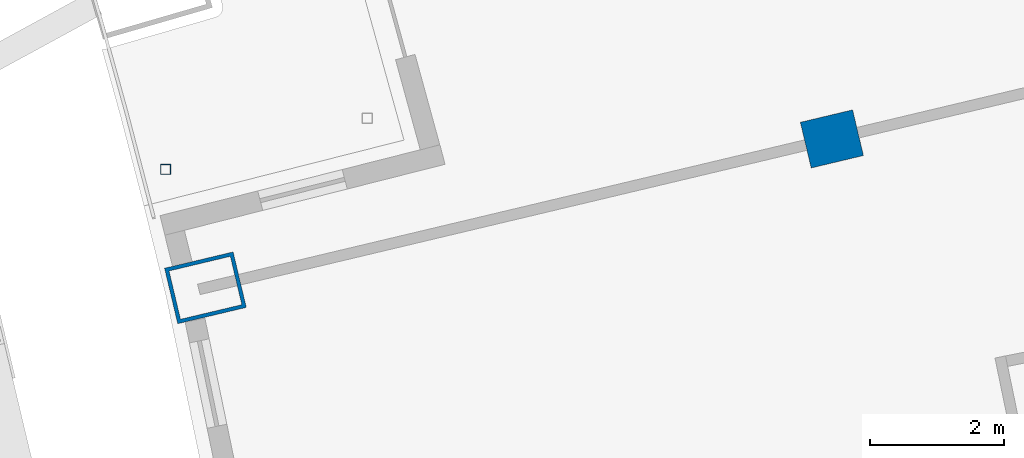
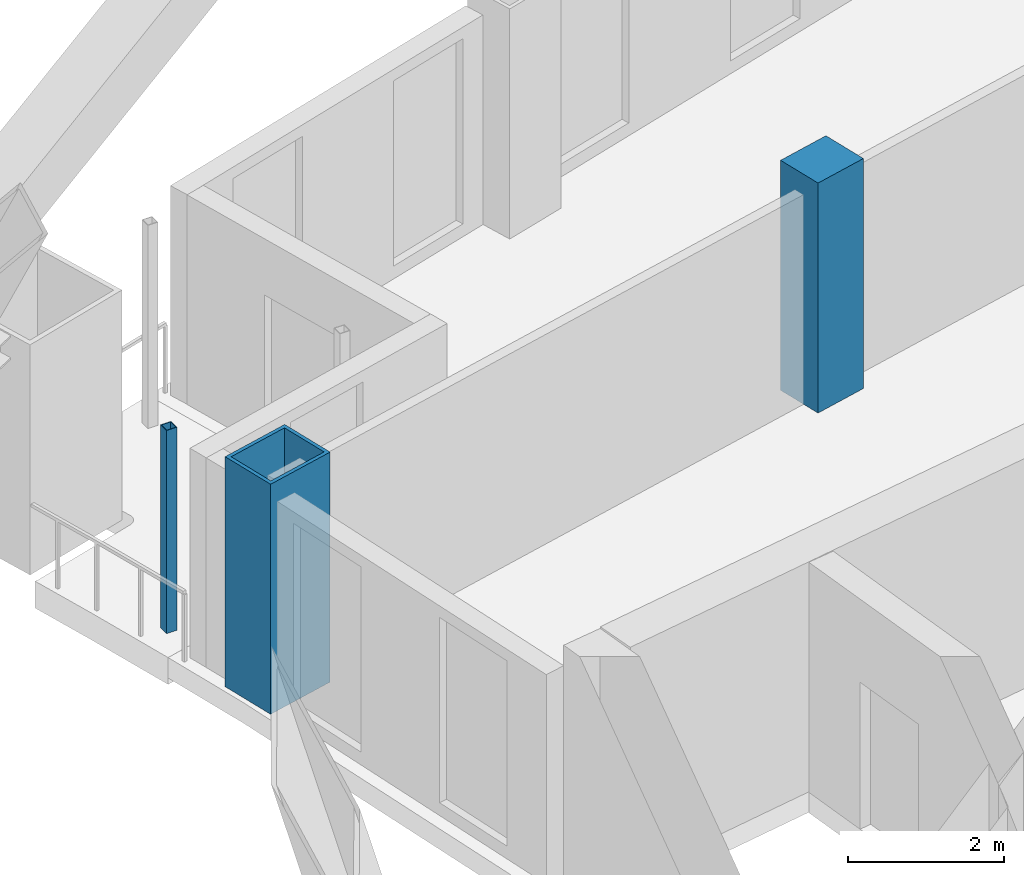
# One storey, part 5 of 20: 3 columns.
"""IFC4 building model written with IfcOpenShell, lengths in metres."""

import ifcopenshell
import ifcopenshell.guid

model = None  # the IFC model being written
_history = None  # IfcOwnerHistory: only IFC2X3 demands one
_inside = {}  # id of a spatial element -> (the spatial element, [elements in it])
_under = {}  # id of a project, library or spatial element -> (it, [spatial elements below it])
_declared = {}  # id of a project -> (the project, [libraries it declares])
_typed = {}  # id of a type object -> (the type object, [elements of that type])
_made_of = {}  # id of a material, layer set ... -> (it, [elements and type objects made of it])


def new_model(schema):
    """Start an empty IFC model of exactly this schema.

    Asked for "IFC4X3", IfcOpenShell would pick the latest addendum, in which some entities
    have other attributes; the version numbers below select the first issue.
    IFC2X3 requires an IfcOwnerHistory on every rooted entity: one is made here for all.
    """
    global model, _history
    if schema == "IFC4X3":
        model = ifcopenshell.file(schema_version=(4, 3, 0, 0))
    else:
        model = ifcopenshell.file(schema=schema)
    _inside.clear()
    _under.clear()
    _declared.clear()
    _typed.clear()
    _made_of.clear()
    _history = None
    if model.schema == "IFC2X3":
        org = make("IfcOrganization", Name="unknown")
        user = make(
            "IfcPersonAndOrganization",
            ThePerson=make("IfcPerson", FamilyName="unknown"),
            TheOrganization=org,
        )
        app = make(
            "IfcApplication",
            ApplicationDeveloper=org,
            Version="unknown",
            ApplicationFullName="unknown",
            ApplicationIdentifier="unknown",
        )
        _history = make(
            "IfcOwnerHistory",
            OwningUser=user,
            OwningApplication=app,
            ChangeAction="ADDED",
            CreationDate=0,
        )
    return model


def make(cls, **values):
    """One entity of the class cls with the attributes given. An attribute that is None is left unset."""
    return model.create_entity(
        cls, **{name: value for name, value in values.items() if value is not None}
    )


def rooted(cls, **values):
    """An entity with a GlobalId (a new one), such as an element, a storey or a relation."""
    return make(cls, GlobalId=ifcopenshell.guid.new(), OwnerHistory=_history, **values)


def si_unit(unit_type, name, prefix=None):
    """IfcSIUnit, for example si_unit("LENGTHUNIT", "METRE", prefix="MILLI")."""
    return make("IfcSIUnit", UnitType=unit_type, Prefix=prefix, Name=name)


def assignment(units):
    """IfcUnitAssignment: the units of a project."""
    return None if units is None else make("IfcUnitAssignment", Units=units)


def point(xyz):
    """IfcCartesianPoint."""
    return None if xyz is None else make("IfcCartesianPoint", Coordinates=xyz)


def direction(xyz):
    """IfcDirection."""
    return None if xyz is None else make("IfcDirection", DirectionRatios=xyz)


def frame(location, z_axis=None, x_axis=None):
    """IfcAxis2Placement3D, a coordinate frame: its origin and axes. An axis left out is left unset."""
    return make(
        "IfcAxis2Placement3D",
        Location=point(location),
        Axis=direction(z_axis),
        RefDirection=direction(x_axis),
    )


def frame_2d(location, x_axis=None):
    """IfcAxis2Placement2D, a coordinate frame in the plane: its origin and x axis."""
    return make(
        "IfcAxis2Placement2D", Location=point(location), RefDirection=direction(x_axis)
    )


def origin():
    """The frame at (0, 0, 0) with its axes left unset."""
    return frame((0.0, 0.0, 0.0))


def origin_2d():
    """The frame at (0, 0) in the plane with its x axis left unset."""
    return frame_2d((0.0, 0.0))


def place(relative_to, where):
    """IfcLocalPlacement: puts the frame where relative to a parent placement (None: the world)."""
    return make(
        "IfcLocalPlacement", PlacementRelTo=relative_to, RelativePlacement=where
    )


def context(
    kind, dimensions, precision=None, world=None, true_north=None, identifier=None
):
    """IfcGeometricRepresentationContext, for example the 3D "Model" context."""
    return make(
        "IfcGeometricRepresentationContext",
        ContextIdentifier=identifier,
        ContextType=kind,
        CoordinateSpaceDimension=dimensions,
        Precision=precision,
        WorldCoordinateSystem=world,
        TrueNorth=true_north,
    )


def subcontext(parent, identifier, kind, view, scale=None):
    """IfcGeometricRepresentationSubContext, for example "Body" below "Model"."""
    return make(
        "IfcGeometricRepresentationSubContext",
        ContextIdentifier=identifier,
        ContextType=kind,
        ParentContext=parent,
        TargetScale=scale,
        TargetView=view,
    )


def project(units=None, contexts=None):
    """IfcProject with its units and contexts."""
    return rooted(
        "IfcProject",
        Name="project",
        RepresentationContexts=contexts,
        UnitsInContext=assignment(units),
    )


def spatial(cls, under=None, at=None, **own):
    """A site, building, storey or space (cls), placed at a placement, below another one or the project."""
    s = rooted(cls, ObjectPlacement=at, **own)
    if under is not None:
        _under.setdefault(under.id(), (under, []))[1].append(s)
    return s


def profile(cls, at=None, kind="AREA", **sizes):
    """A parametric profile (cls). Its sizes go by their IFC names, for example OverallWidth=200.0."""
    return make(cls, ProfileType=kind, Position=at, **sizes)


def rectangle(**sizes):
    """IfcRectangleProfileDef."""
    return profile("IfcRectangleProfileDef", **sizes)


def hollow_rectangle(**sizes):
    """IfcRectangleHollowProfileDef."""
    return profile("IfcRectangleHollowProfileDef", **sizes)


def extrude(swept, where, along, depth):
    """IfcExtrudedAreaSolid: the profile swept, set in the frame where, extruded along a direction by depth."""
    return make(
        "IfcExtrudedAreaSolid",
        SweptArea=swept,
        Position=where,
        ExtrudedDirection=direction(along),
        Depth=depth,
    )


def shape(context_of_items, identifier, shape_type, items):
    """IfcShapeRepresentation: the items that make up one representation, for example the "Body"."""
    return make(
        "IfcShapeRepresentation",
        ContextOfItems=context_of_items,
        RepresentationIdentifier=identifier,
        RepresentationType=shape_type,
        Items=items,
    )


def material(Name=None, Category=None):
    """IfcMaterial."""
    return make("IfcMaterial", Name=Name, Category=Category)


def material_profile(
    of_material, cross_section, Name=None, Category=None, Priority=None
):
    """IfcMaterialProfile: a cross section and its material."""
    return make(
        "IfcMaterialProfile",
        Name=Name,
        Material=of_material,
        Profile=cross_section,
        Priority=Priority,
        Category=Category,
    )


def profile_set(profiles, Name=None, composite=None):
    """IfcMaterialProfileSet."""
    return make(
        "IfcMaterialProfileSet",
        Name=Name,
        MaterialProfiles=profiles,
        CompositeProfile=composite,
    )


def made_of(thing, what):
    """Note that an element or type object is made of a material, layer set ...; save() writes the relation."""
    if what is not None:
        _made_of.setdefault(what.id(), (what, []))[1].append(thing)
    return thing


def type_object(cls, material=None, **own):
    """A type object (cls), such as IfcWallType, which elements share."""
    return made_of(rooted(cls, **own), material)


def element(
    cls,
    number,
    at=None,
    inside=None,
    cuts=None,
    type_object=None,
    material=None,
    context=None,
    identifier="Body",
    shape_type=None,
    held_by="IfcProductDefinitionShape",
    body=None,
    shapes=None,
    **own,
):
    """One element of the class cls, such as IfcWall. Its Tag is "e" and its number.

    at: its placement. inside: the storey or other place that contains it. cuts: it is an
    opening in that element (IfcRelVoidsElement). A single representation is given by context,
    identifier, shape_type and body (its items); several are given by shapes. held_by: the class
    of the entity that holds the representations. save() writes the other relations.
    """
    e = rooted(cls, Tag="e%d" % number, ObjectPlacement=at, **own)
    if body is not None:
        shapes = [shape(context, identifier, shape_type, body)]
    if shapes is not None:
        e.Representation = make(held_by, Representations=shapes)
    if inside is not None:
        _inside.setdefault(inside.id(), (inside, []))[1].append(e)
    if cuts is not None:
        rooted(
            "IfcRelVoidsElement", RelatingBuildingElement=cuts, RelatedOpeningElement=e
        )
    if type_object is not None:
        _typed.setdefault(type_object.id(), (type_object, []))[1].append(e)
    return made_of(e, material)


def aggregate(whole, parts):
    """IfcRelAggregates: a whole, such as a stair, and the parts it consists of."""
    return rooted("IfcRelAggregates", RelatingObject=whole, RelatedObjects=parts)


def save(model, path):
    """Write the relations noted so far, then the file.

    IfcRelAggregates (storeys below a building ...), IfcRelContainedInSpatialStructure (elements
    in a storey), IfcRelDefinesByType, IfcRelAssociatesMaterial and IfcRelDeclares: one each for
    every whole, place, type object, material and project.
    """
    for whole, parts in _under.values():
        aggregate(whole, parts)
    for where, things in _inside.values():
        rooted(
            "IfcRelContainedInSpatialStructure",
            RelatedElements=things,
            RelatingStructure=where,
        )
    for kind, things in _typed.values():
        rooted("IfcRelDefinesByType", RelatedObjects=things, RelatingType=kind)
    for what, things in _made_of.values():
        rooted("IfcRelAssociatesMaterial", RelatedObjects=things, RelatingMaterial=what)
    for by, libraries in _declared.values():
        rooted("IfcRelDeclares", RelatingContext=by, RelatedDefinitions=libraries)
    model.write(path)


model = new_model("IFC4")

# Units and contexts
model_context = context("Model", 3, precision=1e-05, world=origin(), true_north=direction((0.0, 1.0)))
body_context = subcontext(model_context, "Body", "Model", "MODEL_VIEW")
ifc_project = project(units=[si_unit("LENGTHUNIT", "METRE"), si_unit("AREAUNIT", "SQUARE_METRE"), si_unit("VOLUMEUNIT", "CUBIC_METRE"), si_unit("PLANEANGLEUNIT", "RADIAN"), si_unit("MASSUNIT", "GRAM", prefix="KILO")], contexts=[model_context])

# Site, building, storey
site_placement = place(None, origin())
site = spatial("IfcSite", under=ifc_project, at=site_placement, CompositionType="ELEMENT")
building_placement = place(site_placement, origin())
building = spatial("IfcBuilding", under=site, at=building_placement, Name="Alderwake Tower", CompositionType="ELEMENT")
storey_placement = place(building_placement, frame((0.0, 0.0, 189.199951171875)))
storey = spatial("IfcBuildingStorey", under=building, at=storey_placement, Name="L46", CompositionType="ELEMENT", Elevation=189.199951171875)

# Columns
ifc_material_1 = material(Name="Concrete C70/85", Category="concrete")
ifc_material_profile_1 = material_profile(ifc_material_1, rectangle(XDim=0.699951171875, YDim=0.800048828125, at=origin_2d()), Name="RC 800X700")
ifc_profile_set_1 = profile_set([ifc_material_profile_1], Name="Concrete C70/85")
column_type_1 = type_object("IfcColumnType", Name="Interior column Z4", PredefinedType="COLUMN", material=ifc_profile_set_1)
column_1_placement = place(storey_placement, frame((23.322021484375, 85.555908203125, 0.0), z_axis=(0.0, 0.0, 1.0), x_axis=(-0.231221547198, 0.972901123502, 0.0)))
element("IfcColumn", 1, at=column_1_placement, inside=storey, type_object=column_type_1, Name="Column R11-C1", PredefinedType="COLUMN", context=body_context, shape_type="SweptSolid", body=[
    extrude(rectangle(XDim=0.699951171875, YDim=0.800048828125, at=origin_2d()), origin(), (0.0, 0.0, 1.0), 3.60009765625),
])
ifc_material_2 = material(Name="Steel ASTM A500 Grade C", Category="steel")
ifc_material_profile_2 = material_profile(ifc_material_2, hollow_rectangle(XDim=0.15234375, YDim=0.15234375, WallThickness=0.0087890625, at=origin_2d()), Name="HSS6X6X3/8")
ifc_profile_set_2 = profile_set([ifc_material_profile_2], Name="Steel ASTM A500 Grade C")
column_type_2 = type_object("IfcColumnType", Name="Light post HSS6X6X3/8", PredefinedType="COLUMN", material=ifc_profile_set_2)
column_2_placement = place(storey_placement, frame((13.3896484375, 85.103515625, 0.0), z_axis=(0.0, 0.0, 1.0), x_axis=(1.0, 0.0, 0.0)))
element("IfcColumn", 2, at=column_2_placement, inside=storey, type_object=column_type_2, Name="Terrace post RN1", PredefinedType="COLUMN", context=body_context, shape_type="SweptSolid", body=[
    extrude(hollow_rectangle(XDim=0.15234375, YDim=0.15234375, WallThickness=0.0087890625, at=origin_2d()), origin(), (0.0, 0.0, 1.0), 3.179931640625),
])
ifc_material_3 = material(Name="Steel ASTM A572 Grade 50 concrete filled C70/85", Category="concrete")
ifc_material_profile_3 = material_profile(ifc_material_3, hollow_rectangle(XDim=0.85009765625, YDim=1.050048828125, WallThickness=0.054931640625, at=origin_2d()), Name="BOX 1050X850X55")
ifc_profile_set_3 = profile_set([ifc_material_profile_3], Name="Steel ASTM A572 Grade 50 concrete filled C70/85")
column_type_3 = type_object("IfcColumnType", Name="Perimeter column Z4", PredefinedType="COLUMN", material=ifc_profile_set_3)
column_3_placement = place(storey_placement, frame((13.982177734375, 83.3359375, 0.0), z_axis=(0.0, 0.0, 1.0), x_axis=(-0.231221547198, 0.972901123502, 0.0)))
element("IfcColumn", 3, at=column_3_placement, inside=storey, type_object=column_type_3, Name="Column R11-C0", PredefinedType="COLUMN", context=body_context, shape_type="SweptSolid", body=[
    extrude(hollow_rectangle(XDim=0.85009765625, YDim=1.050048828125, WallThickness=0.054931640625, at=origin_2d()), origin(), (0.0, 0.0, 1.0), 3.60009765625),
])

save(model, "model.ifc")
